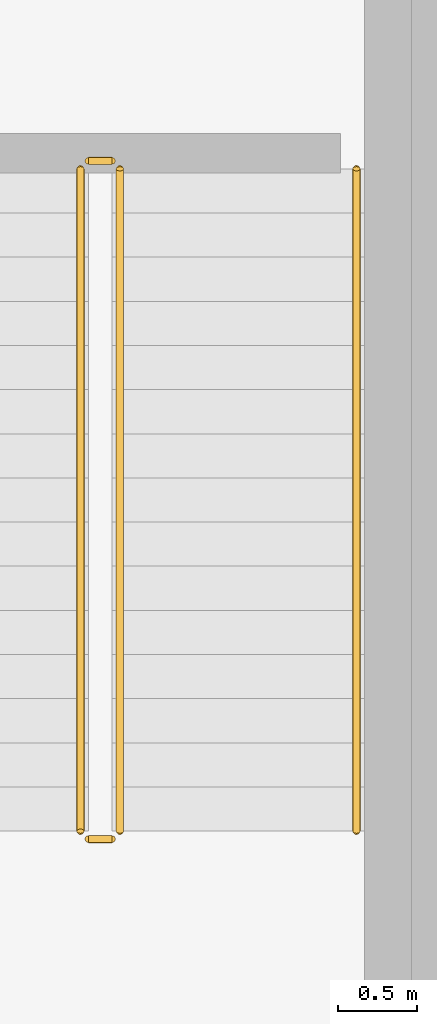
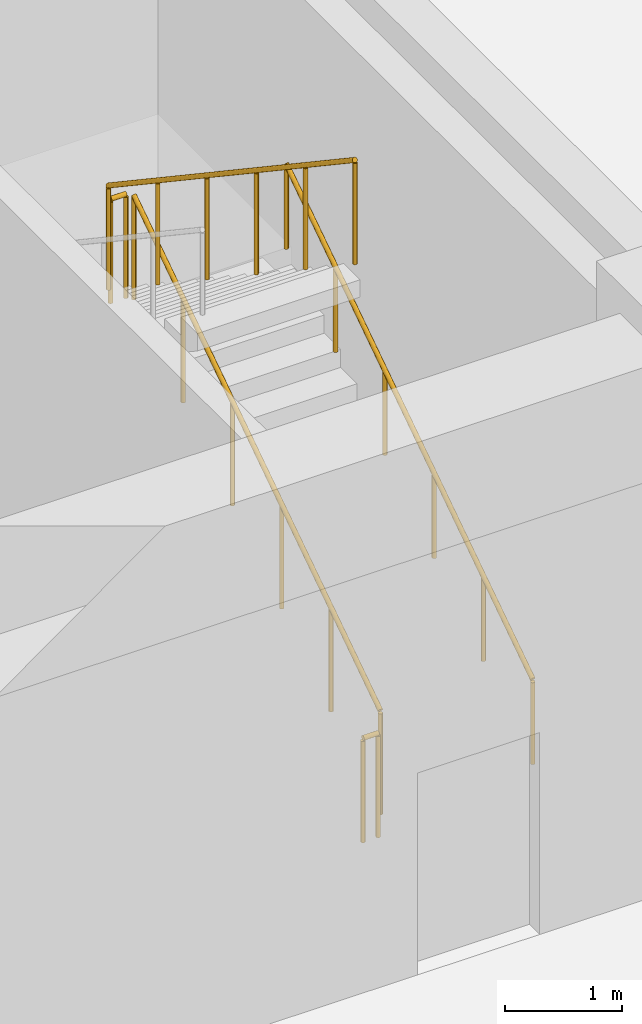
# One storey, part 197 of 210: 5 railings.
"""IFC4 building model written with IfcOpenShell, lengths in metres."""

import ifcopenshell
import ifcopenshell.guid

model = None  # the IFC model being written
_history = None  # IfcOwnerHistory: only IFC2X3 demands one
_inside = {}  # id of a spatial element -> (the spatial element, [elements in it])
_under = {}  # id of a project, library or spatial element -> (it, [spatial elements below it])
_declared = {}  # id of a project -> (the project, [libraries it declares])
_typed = {}  # id of a type object -> (the type object, [elements of that type])
_made_of = {}  # id of a material, layer set ... -> (it, [elements and type objects made of it])


def new_model(schema):
    """Start an empty IFC model of exactly this schema.

    Asked for "IFC4X3", IfcOpenShell would pick the latest addendum, in which some entities
    have other attributes; the version numbers below select the first issue.
    IFC2X3 requires an IfcOwnerHistory on every rooted entity: one is made here for all.
    """
    global model, _history
    if schema == "IFC4X3":
        model = ifcopenshell.file(schema_version=(4, 3, 0, 0))
    else:
        model = ifcopenshell.file(schema=schema)
    _inside.clear()
    _under.clear()
    _declared.clear()
    _typed.clear()
    _made_of.clear()
    _history = None
    if model.schema == "IFC2X3":
        org = make("IfcOrganization", Name="unknown")
        user = make(
            "IfcPersonAndOrganization",
            ThePerson=make("IfcPerson", FamilyName="unknown"),
            TheOrganization=org,
        )
        app = make(
            "IfcApplication",
            ApplicationDeveloper=org,
            Version="unknown",
            ApplicationFullName="unknown",
            ApplicationIdentifier="unknown",
        )
        _history = make(
            "IfcOwnerHistory",
            OwningUser=user,
            OwningApplication=app,
            ChangeAction="ADDED",
            CreationDate=0,
        )
    return model


def make(cls, **values):
    """One entity of the class cls with the attributes given. An attribute that is None is left unset."""
    return model.create_entity(
        cls, **{name: value for name, value in values.items() if value is not None}
    )


def rooted(cls, **values):
    """An entity with a GlobalId (a new one), such as an element, a storey or a relation."""
    return make(cls, GlobalId=ifcopenshell.guid.new(), OwnerHistory=_history, **values)


def si_unit(unit_type, name, prefix=None):
    """IfcSIUnit, for example si_unit("LENGTHUNIT", "METRE", prefix="MILLI")."""
    return make("IfcSIUnit", UnitType=unit_type, Prefix=prefix, Name=name)


def assignment(units):
    """IfcUnitAssignment: the units of a project."""
    return None if units is None else make("IfcUnitAssignment", Units=units)


def point(xyz):
    """IfcCartesianPoint."""
    return None if xyz is None else make("IfcCartesianPoint", Coordinates=xyz)


def direction(xyz):
    """IfcDirection."""
    return None if xyz is None else make("IfcDirection", DirectionRatios=xyz)


def frame(location, z_axis=None, x_axis=None):
    """IfcAxis2Placement3D, a coordinate frame: its origin and axes. An axis left out is left unset."""
    return make(
        "IfcAxis2Placement3D",
        Location=point(location),
        Axis=direction(z_axis),
        RefDirection=direction(x_axis),
    )


def frame_2d(location, x_axis=None):
    """IfcAxis2Placement2D, a coordinate frame in the plane: its origin and x axis."""
    return make(
        "IfcAxis2Placement2D", Location=point(location), RefDirection=direction(x_axis)
    )


def origin():
    """The frame at (0, 0, 0) with its axes left unset."""
    return frame((0.0, 0.0, 0.0))


def origin_2d():
    """The frame at (0, 0) in the plane with its x axis left unset."""
    return frame_2d((0.0, 0.0))


def place(relative_to, where):
    """IfcLocalPlacement: puts the frame where relative to a parent placement (None: the world)."""
    return make(
        "IfcLocalPlacement", PlacementRelTo=relative_to, RelativePlacement=where
    )


def context(
    kind, dimensions, precision=None, world=None, true_north=None, identifier=None
):
    """IfcGeometricRepresentationContext, for example the 3D "Model" context."""
    return make(
        "IfcGeometricRepresentationContext",
        ContextIdentifier=identifier,
        ContextType=kind,
        CoordinateSpaceDimension=dimensions,
        Precision=precision,
        WorldCoordinateSystem=world,
        TrueNorth=true_north,
    )


def subcontext(parent, identifier, kind, view, scale=None):
    """IfcGeometricRepresentationSubContext, for example "Body" below "Model"."""
    return make(
        "IfcGeometricRepresentationSubContext",
        ContextIdentifier=identifier,
        ContextType=kind,
        ParentContext=parent,
        TargetScale=scale,
        TargetView=view,
    )


def project(units=None, contexts=None):
    """IfcProject with its units and contexts."""
    return rooted(
        "IfcProject",
        Name="project",
        RepresentationContexts=contexts,
        UnitsInContext=assignment(units),
    )


def spatial(cls, under=None, at=None, **own):
    """A site, building, storey or space (cls), placed at a placement, below another one or the project."""
    s = rooted(cls, ObjectPlacement=at, **own)
    if under is not None:
        _under.setdefault(under.id(), (under, []))[1].append(s)
    return s


def profile(cls, at=None, kind="AREA", **sizes):
    """A parametric profile (cls). Its sizes go by their IFC names, for example OverallWidth=200.0."""
    return make(cls, ProfileType=kind, Position=at, **sizes)


def circle(**sizes):
    """IfcCircleProfileDef."""
    return profile("IfcCircleProfileDef", **sizes)


def extrude(swept, where, along, depth):
    """IfcExtrudedAreaSolid: the profile swept, set in the frame where, extruded along a direction by depth."""
    return make(
        "IfcExtrudedAreaSolid",
        SweptArea=swept,
        Position=where,
        ExtrudedDirection=direction(along),
        Depth=depth,
    )


def shape(context_of_items, identifier, shape_type, items):
    """IfcShapeRepresentation: the items that make up one representation, for example the "Body"."""
    return make(
        "IfcShapeRepresentation",
        ContextOfItems=context_of_items,
        RepresentationIdentifier=identifier,
        RepresentationType=shape_type,
        Items=items,
    )


def material(Name=None, Category=None):
    """IfcMaterial."""
    return make("IfcMaterial", Name=Name, Category=Category)


def made_of(thing, what):
    """Note that an element or type object is made of a material, layer set ...; save() writes the relation."""
    if what is not None:
        _made_of.setdefault(what.id(), (what, []))[1].append(thing)
    return thing


def type_object(cls, material=None, **own):
    """A type object (cls), such as IfcWallType, which elements share."""
    return made_of(rooted(cls, **own), material)


def element(
    cls,
    number,
    at=None,
    inside=None,
    cuts=None,
    type_object=None,
    material=None,
    context=None,
    identifier="Body",
    shape_type=None,
    held_by="IfcProductDefinitionShape",
    body=None,
    shapes=None,
    **own,
):
    """One element of the class cls, such as IfcWall. Its Tag is "e" and its number.

    at: its placement. inside: the storey or other place that contains it. cuts: it is an
    opening in that element (IfcRelVoidsElement). A single representation is given by context,
    identifier, shape_type and body (its items); several are given by shapes. held_by: the class
    of the entity that holds the representations. save() writes the other relations.
    """
    e = rooted(cls, Tag="e%d" % number, ObjectPlacement=at, **own)
    if body is not None:
        shapes = [shape(context, identifier, shape_type, body)]
    if shapes is not None:
        e.Representation = make(held_by, Representations=shapes)
    if inside is not None:
        _inside.setdefault(inside.id(), (inside, []))[1].append(e)
    if cuts is not None:
        rooted(
            "IfcRelVoidsElement", RelatingBuildingElement=cuts, RelatedOpeningElement=e
        )
    if type_object is not None:
        _typed.setdefault(type_object.id(), (type_object, []))[1].append(e)
    return made_of(e, material)


def aggregate(whole, parts):
    """IfcRelAggregates: a whole, such as a stair, and the parts it consists of."""
    return rooted("IfcRelAggregates", RelatingObject=whole, RelatedObjects=parts)


def save(model, path):
    """Write the relations noted so far, then the file.

    IfcRelAggregates (storeys below a building ...), IfcRelContainedInSpatialStructure (elements
    in a storey), IfcRelDefinesByType, IfcRelAssociatesMaterial and IfcRelDeclares: one each for
    every whole, place, type object, material and project.
    """
    for whole, parts in _under.values():
        aggregate(whole, parts)
    for where, things in _inside.values():
        rooted(
            "IfcRelContainedInSpatialStructure",
            RelatedElements=things,
            RelatingStructure=where,
        )
    for kind, things in _typed.values():
        rooted("IfcRelDefinesByType", RelatedObjects=things, RelatingType=kind)
    for what, things in _made_of.values():
        rooted("IfcRelAssociatesMaterial", RelatedObjects=things, RelatingMaterial=what)
    for by, libraries in _declared.values():
        rooted("IfcRelDeclares", RelatingContext=by, RelatedDefinitions=libraries)
    model.write(path)


model = new_model("IFC4")

# Units and contexts
model_context = context("Model", 3, precision=1e-05, world=origin(), true_north=direction((0.0, 1.0)))
body_context = subcontext(model_context, "Body", "Model", "MODEL_VIEW")
ifc_project = project(units=[si_unit("LENGTHUNIT", "METRE"), si_unit("AREAUNIT", "SQUARE_METRE"), si_unit("VOLUMEUNIT", "CUBIC_METRE"), si_unit("PLANEANGLEUNIT", "RADIAN"), si_unit("MASSUNIT", "GRAM", prefix="KILO")], contexts=[model_context])

# Site, building, storey
site_placement = place(None, origin())
site = spatial("IfcSite", under=ifc_project, at=site_placement, CompositionType="ELEMENT")
building_placement = place(site_placement, origin())
building = spatial("IfcBuilding", under=site, at=building_placement, Name="Rain Tree Exposition and Congress Centre", CompositionType="ELEMENT")
storey_placement = place(building_placement, origin())
storey = spatial("IfcBuildingStorey", under=building, at=storey_placement, Name="L00", CompositionType="ELEMENT", Elevation=0.0)

# Railings
ifc_material_1 = material(Name="Steel S355J2H", Category="steel")
railing_type_1 = type_object("IfcRailingType", Name="Stair guard 1100", PredefinedType="GUARDRAIL", material=ifc_material_1)
railing_1_placement = place(storey_placement, frame((241.550048828125, 102.60009765625, 0.1875)))
element("IfcRailing", 1, at=railing_1_placement, inside=storey, type_object=railing_type_1, Name="L00 ST-H6 stair guard 1", PredefinedType="GUARDRAIL", context=body_context, shape_type="SweptSolid", body=[
    extrude(circle(Radius=0.02392578125, at=origin_2d()), frame((0.0, 0.0, 1.076171875), z_axis=(0.0, 0.830904186295, 0.556415522067), x_axis=(-1.0, 0.0, 0.0)), (0.0, 0.0, 1.0), 5.0546875),
    extrude(circle(Radius=0.02099609375, at=origin_2d()), origin(), (0.0, 0.0, 1.0), 1.052001953125),
    extrude(circle(Radius=0.02099609375, at=origin_2d()), frame((0.0, 0.840087890625, 0.5625)), (0.0, 0.0, 1.0), 1.052001953125),
    extrude(circle(Radius=0.02099609375, at=origin_2d()), frame((0.0, 1.679931640625, 1.125)), (0.0, 0.0, 1.0), 1.052001953125),
    extrude(circle(Radius=0.02099609375, at=origin_2d()), frame((0.0, 2.52001953125, 1.6875)), (0.0, 0.0, 1.0), 1.052001953125),
    extrude(circle(Radius=0.02099609375, at=origin_2d()), frame((0.0, 3.35986328125, 2.25)), (0.0, 0.0, 1.0), 1.052001953125),
    extrude(circle(Radius=0.02099609375, at=origin_2d()), frame((0.0, 4.199951171875, 2.8125)), (0.0, 0.0, 1.0), 1.052001953125),
])
railing_2_placement = place(storey_placement, frame((241.5, 106.85009765625, 3.0)))
element("IfcRailing", 2, at=railing_2_placement, inside=storey, type_object=railing_type_1, Name="L00 ST-H6 stair guard 2", PredefinedType="GUARDRAIL", context=body_context, shape_type="SweptSolid", body=[
    extrude(circle(Radius=0.02392578125, at=origin_2d()), frame((0.0, 0.0, 1.076171875), z_axis=(-1.0, 0.0, 0.0), x_axis=(0.0, -1.0, 0.0)), (0.0, 0.0, 1.0), 0.14990234375),
    extrude(circle(Radius=0.02099609375, at=origin_2d()), origin(), (0.0, 0.0, 1.0), 1.052001953125),
    extrude(circle(Radius=0.02099609375, at=origin_2d()), frame((-0.14990234375, 0.0, 0.0)), (0.0, 0.0, 1.0), 1.052001953125),
])
railing_3_placement = place(storey_placement, frame((241.300048828125, 106.800048828125, 3.1875)))
element("IfcRailing", 3, at=railing_3_placement, inside=storey, type_object=railing_type_1, Name="L00 ST-H6 stair guard 3", PredefinedType="GUARDRAIL", context=body_context, shape_type="SweptSolid", body=[
    extrude(circle(Radius=0.02392578125, at=origin_2d()), frame((0.0, 0.0, 1.076171875), z_axis=(0.0, -0.830904186295, 0.556415522067), x_axis=(1.0, 0.0, 0.0)), (0.0, 0.0, 1.0), 5.0546875),
    extrude(circle(Radius=0.02099609375, at=origin_2d()), origin(), (0.0, 0.0, 1.0), 1.052001953125),
    extrude(circle(Radius=0.02099609375, at=origin_2d()), frame((0.0, -0.840087890625, 0.5625)), (0.0, 0.0, 1.0), 1.052001953125),
    extrude(circle(Radius=0.02099609375, at=origin_2d()), frame((0.0, -1.679931640625, 1.125)), (0.0, 0.0, 1.0), 1.052001953125),
    extrude(circle(Radius=0.02099609375, at=origin_2d()), frame((0.0, -2.52001953125, 1.6875)), (0.0, 0.0, 1.0), 1.052001953125),
    extrude(circle(Radius=0.02099609375, at=origin_2d()), frame((0.0, -3.35986328125, 2.25)), (0.0, 0.0, 1.0), 1.052001953125),
    extrude(circle(Radius=0.02099609375, at=origin_2d()), frame((0.0, -4.199951171875, 2.8125)), (0.0, 0.0, 1.0), 1.052001953125),
])
railing_4_placement = place(storey_placement, frame((241.5, 102.550048828125, 0.0)))
element("IfcRailing", 4, at=railing_4_placement, inside=storey, type_object=railing_type_1, Name="L00 ST-H6 stair guard 4", PredefinedType="GUARDRAIL", context=body_context, shape_type="SweptSolid", body=[
    extrude(circle(Radius=0.02392578125, at=origin_2d()), frame((0.0, 0.0, 1.076171875), z_axis=(-1.0, 0.0, 0.0), x_axis=(0.0, -1.0, 0.0)), (0.0, 0.0, 1.0), 0.14990234375),
    extrude(circle(Radius=0.02099609375, at=origin_2d()), origin(), (0.0, 0.0, 1.0), 1.052001953125),
    extrude(circle(Radius=0.02099609375, at=origin_2d()), frame((-0.14990234375, 0.0, 0.0)), (0.0, 0.0, 1.0), 1.052001953125),
])
ifc_material_2 = material(Name="Steel S355J2H", Category="steel")
railing_type_2 = type_object("IfcRailingType", Name="Stair handrail 900", PredefinedType="HANDRAIL", material=ifc_material_2)
railing_5_placement = place(storey_placement, frame((243.050048828125, 102.60009765625, 0.1875)))
element("IfcRailing", 5, at=railing_5_placement, inside=storey, type_object=railing_type_2, Name="L00 ST-H6 stair handrail 1", PredefinedType="HANDRAIL", context=body_context, shape_type="SweptSolid", body=[
    extrude(circle(Radius=0.02392578125, at=origin_2d()), frame((0.0, 0.0, 0.8759765625), z_axis=(0.0, 0.830904186295, 0.556415522067), x_axis=(-1.0, 0.0, 0.0)), (0.0, 0.0, 1.0), 5.0546875),
    extrude(circle(Radius=0.02099609375, at=origin_2d()), origin(), (0.0, 0.0, 1.0), 0.851806640625),
    extrude(circle(Radius=0.02099609375, at=origin_2d()), frame((0.0, 0.840087890625, 0.5625)), (0.0, 0.0, 1.0), 0.851806640625),
    extrude(circle(Radius=0.02099609375, at=origin_2d()), frame((0.0, 1.679931640625, 1.125)), (0.0, 0.0, 1.0), 0.851806640625),
    extrude(circle(Radius=0.02099609375, at=origin_2d()), frame((0.0, 2.52001953125, 1.6875)), (0.0, 0.0, 1.0), 0.851806640625),
    extrude(circle(Radius=0.02099609375, at=origin_2d()), frame((0.0, 3.35986328125, 2.25)), (0.0, 0.0, 1.0), 0.851806640625),
    extrude(circle(Radius=0.02099609375, at=origin_2d()), frame((0.0, 4.199951171875, 2.8125)), (0.0, 0.0, 1.0), 0.851806640625),
])

save(model, "model.ifc")
